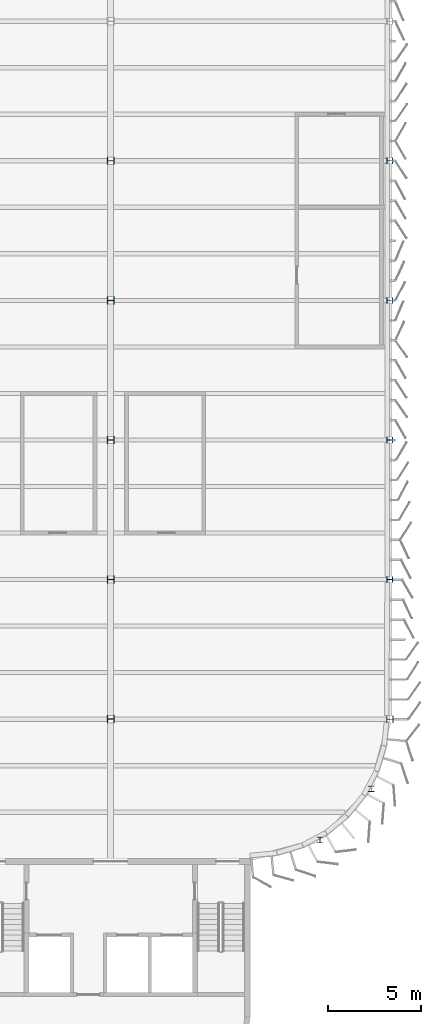
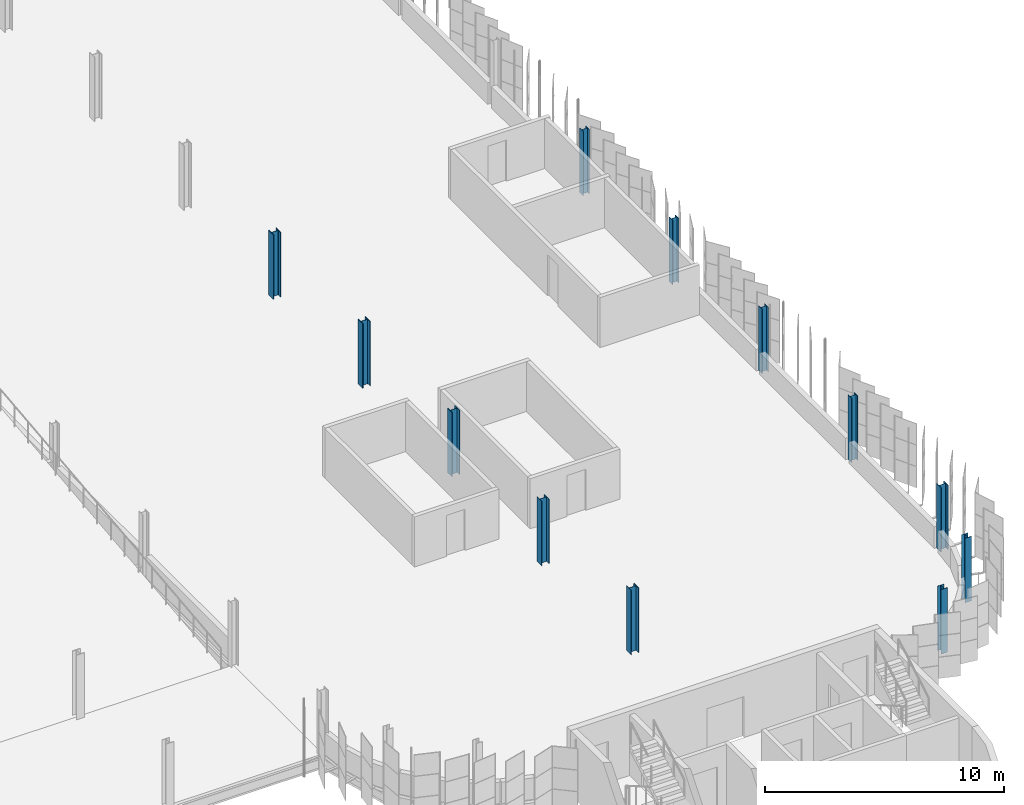
# One storey, part 25 of 214: 12 columns.
"""IFC4 building model written with IfcOpenShell, lengths in metres."""

from ifc_helpers import new_model, si_unit, direction, frame, origin, origin_2d, place, context, subcontext, project, spatial, i_section, extrude, material, material_profile, profile_set, type_object, element, save


model = new_model("IFC4")

# Units and contexts
model_context = context("Model", 3, precision=1e-05, world=origin(), true_north=direction((0.0, 1.0)))
body_context = subcontext(model_context, "Body", "Model", "MODEL_VIEW")
ifc_project = project(units=[si_unit("LENGTHUNIT", "METRE"), si_unit("AREAUNIT", "SQUARE_METRE"), si_unit("VOLUMEUNIT", "CUBIC_METRE"), si_unit("PLANEANGLEUNIT", "RADIAN"), si_unit("MASSUNIT", "GRAM", prefix="KILO")], contexts=[model_context])

# Site, building, storey
site_placement = place(None, origin())
site = spatial("IfcSite", under=ifc_project, at=site_placement, CompositionType="ELEMENT")
building_placement = place(site_placement, origin())
building = spatial("IfcBuilding", under=site, at=building_placement, Name="Parallax Yard Mobility Hub", CompositionType="ELEMENT")
storey_placement = place(building_placement, frame((0.0, 0.0, 3.300048828125)))
storey = spatial("IfcBuildingStorey", under=building, at=storey_placement, Name="L01", CompositionType="ELEMENT", Elevation=3.300048828125)

# Columns
ifc_material = material(Name="Steel ASTM A992", Category="steel")
ifc_material_profile_1 = material_profile(ifc_material, i_section(OverallWidth=0.304931640625, OverallDepth=0.31201171875, WebThickness=0.010986328125, FlangeThickness=0.01708984375, FilletRadius=0.015380859375, at=origin_2d()), Name="W310x107")
ifc_profile_set_1 = profile_set([ifc_material_profile_1], Name="Steel ASTM A992")
column_type_1 = type_object("IfcColumnType", Name="W310x107 column", PredefinedType="COLUMN", material=ifc_profile_set_1)
for number, where, z_axis, x_axis, name in (
    (1, (225.0, 60.0, 0.0), (0.0, 0.0, 1.0), (0.0, 1.0, 0.0), "Column C2 level L01 at J/31 of ramped parking decks"),
    (2, (225.0, 52.5, 0.0), (0.0, 0.0, 1.0), (0.0, 1.0, 0.0), "Column C2 level L01 at H/31 of ramped parking decks"),
    (3, (225.0, 45.0, 0.0), (0.0, 0.0, 1.0), (0.0, 1.0, 0.0), "Column C2 level L01 at G/31 of ramped parking decks"),
    (4, (225.0, 37.5, 0.0), (0.0, 0.0, 1.0), (0.0, 1.0, 0.0), "Column C2 level L01 at F/31 of ramped parking decks"),
):
    element("IfcColumn", number, at=place(storey_placement, frame(where, z_axis=z_axis, x_axis=x_axis)), inside=storey, type_object=column_type_1, Name=name, PredefinedType="COLUMN", context=body_context, shape_type="SweptSolid", body=[
        extrude(i_section(OverallWidth=0.304931640625, OverallDepth=0.31201171875, WebThickness=0.010986328125, FlangeThickness=0.01708984375, FilletRadius=0.015380859375, at=origin_2d()), origin(), (0.0, 0.0, 1.0), 3.300048828125),
    ])
ifc_material_profile_2 = material_profile(ifc_material, i_section(OverallWidth=0.304931640625, OverallDepth=0.306884765625, WebThickness=0.010009765625, FlangeThickness=0.015380859375, FilletRadius=0.01513671875, at=origin_2d()), Name="W310x97")
ifc_profile_set_2 = profile_set([ifc_material_profile_2], Name="Steel ASTM A992")
column_type_2 = type_object("IfcColumnType", Name="W310x97 column", PredefinedType="COLUMN", material=ifc_profile_set_2)
for number, where, z_axis, x_axis, name in (
    (5, (221.25, 23.5048828125, 0.0), (0.0, 0.0, 1.0), (1.0, 0.0, 0.0), "Column C1 level L01 at S-E1 of ramped parking decks"),
    (6, (223.9951171875, 26.25, 0.0), (0.0, 0.0, 1.0), (1.0, 0.0, 0.0), "Column C1 level L01 at S-E2 of ramped parking decks"),
):
    element("IfcColumn", number, at=place(storey_placement, frame(where, z_axis=z_axis, x_axis=x_axis)), inside=storey, type_object=column_type_2, Name=name, PredefinedType="COLUMN", context=body_context, shape_type="SweptSolid", body=[
        extrude(i_section(OverallWidth=0.304931640625, OverallDepth=0.306884765625, WebThickness=0.010009765625, FlangeThickness=0.015380859375, FilletRadius=0.01513671875, at=origin_2d()), origin(), (0.0, 0.0, 1.0), 3.300048828125),
    ])
ifc_material_profile_3 = material_profile(ifc_material, i_section(OverallWidth=0.367919921875, OverallDepth=0.35595703125, WebThickness=0.01123046875, FlangeThickness=0.01806640625, FilletRadius=0.015380859375, at=origin_2d()), Name="W360x134")
ifc_profile_set_3 = profile_set([ifc_material_profile_3], Name="Steel ASTM A992")
column_type_3 = type_object("IfcColumnType", Name="W360x134 column", PredefinedType="COLUMN", material=ifc_profile_set_3)
column_1_placement = place(storey_placement, frame((225.0, 30.0, 0.0), z_axis=(0.0, 0.0, 1.0), x_axis=(0.0, 1.0, 0.0)))
element("IfcColumn", 7, at=column_1_placement, inside=storey, type_object=column_type_3, Name="Column C4 level L01 at E/31 of ramped parking decks", PredefinedType="COLUMN", context=body_context, shape_type="SweptSolid", body=[
    extrude(i_section(OverallWidth=0.367919921875, OverallDepth=0.35595703125, WebThickness=0.01123046875, FlangeThickness=0.01806640625, FilletRadius=0.015380859375, at=origin_2d()), origin(), (0.0, 0.0, 1.0), 3.300048828125),
])
ifc_material_profile_4 = material_profile(ifc_material, i_section(OverallWidth=0.39404296875, OverallDepth=0.3759765625, WebThickness=0.017333984375, FlangeThickness=0.027587890625, FilletRadius=0.01513671875, at=origin_2d()), Name="W360x216")
ifc_profile_set_4 = profile_set([ifc_material_profile_4], Name="Steel ASTM A992")
column_type_4 = type_object("IfcColumnType", Name="W360x216 column", PredefinedType="COLUMN", material=ifc_profile_set_4)
for number, where, z_axis, x_axis, name in (
    (8, (210.0, 60.0, 0.0), (0.0, 0.0, 1.0), (0.0, 1.0, 0.0), "Column C9 level L01 at J/29 of ramped parking decks"),
    (9, (210.0, 52.5, 0.0), (0.0, 0.0, 1.0), (0.0, 1.0, 0.0), "Column C9 level L01 at H/29 of ramped parking decks"),
    (10, (210.0, 45.0, 0.0), (0.0, 0.0, 1.0), (0.0, 1.0, 0.0), "Column C9 level L01 at G/29 of ramped parking decks"),
    (11, (210.0, 37.5, 0.0), (0.0, 0.0, 1.0), (0.0, 1.0, 0.0), "Column C9 level L01 at F/29 of ramped parking decks"),
):
    element("IfcColumn", number, at=place(storey_placement, frame(where, z_axis=z_axis, x_axis=x_axis)), inside=storey, type_object=column_type_4, Name=name, PredefinedType="COLUMN", context=body_context, shape_type="SweptSolid", body=[
        extrude(i_section(OverallWidth=0.39404296875, OverallDepth=0.3759765625, WebThickness=0.017333984375, FlangeThickness=0.027587890625, FilletRadius=0.01513671875, at=origin_2d()), origin(), (0.0, 0.0, 1.0), 3.300048828125),
    ])
ifc_material_profile_5 = material_profile(ifc_material, i_section(OverallWidth=0.39599609375, OverallDepth=0.381103515625, WebThickness=0.018798828125, FlangeThickness=0.0302734375, FilletRadius=0.015380859375, at=origin_2d()), Name="W360x237")
ifc_profile_set_5 = profile_set([ifc_material_profile_5], Name="Steel ASTM A992")
column_type_5 = type_object("IfcColumnType", Name="W360x237 column", PredefinedType="COLUMN", material=ifc_profile_set_5)
column_2_placement = place(storey_placement, frame((210.0, 30.0, 0.0), z_axis=(0.0, 0.0, 1.0), x_axis=(0.0, 1.0, 0.0)))
element("IfcColumn", 12, at=column_2_placement, inside=storey, type_object=column_type_5, Name="Column C10 level L01 at E/29 of ramped parking decks", PredefinedType="COLUMN", context=body_context, shape_type="SweptSolid", body=[
    extrude(i_section(OverallWidth=0.39599609375, OverallDepth=0.381103515625, WebThickness=0.018798828125, FlangeThickness=0.0302734375, FilletRadius=0.015380859375, at=origin_2d()), origin(), (0.0, 0.0, 1.0), 3.300048828125),
])

save(model, "model.ifc")
